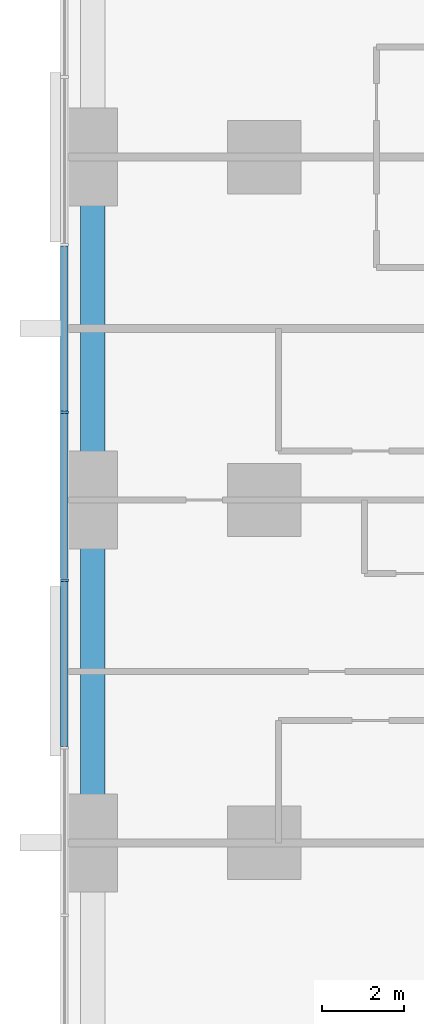
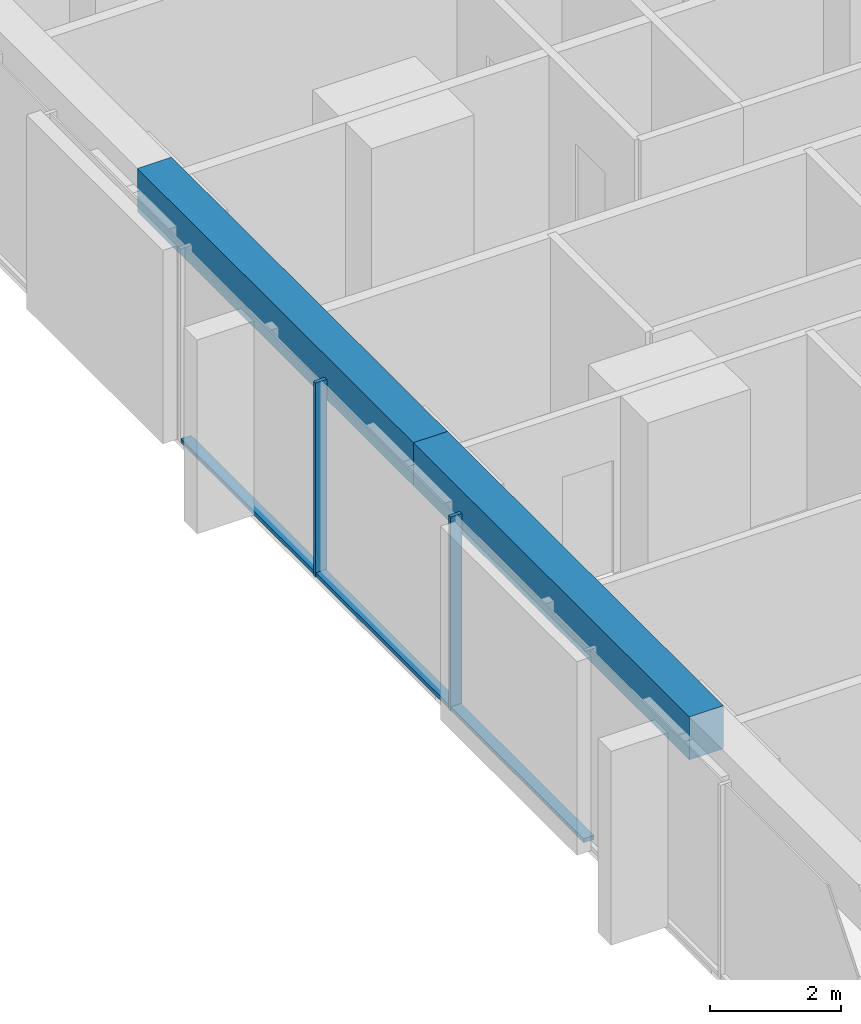
# One storey, part 3 of 17: 5 members, 2 beams, 1 element without a shape of its own.
"""IFC4 building model written with IfcOpenShell, lengths in metres."""

from ifc_helpers import new_model, si_unit, direction, frame, origin, origin_2d, place, context, subcontext, project, spatial, rectangle, extrude, material, material_profile, profile_set, type_object, element, aggregate, save


model = new_model("IFC4")

# Units and contexts
model_context = context("Model", 3, precision=1e-05, world=origin(), true_north=direction((0.0, 1.0)))
body_context = subcontext(model_context, "Body", "Model", "MODEL_VIEW")
ifc_project = project(units=[si_unit("LENGTHUNIT", "METRE"), si_unit("AREAUNIT", "SQUARE_METRE"), si_unit("VOLUMEUNIT", "CUBIC_METRE"), si_unit("PLANEANGLEUNIT", "RADIAN"), si_unit("MASSUNIT", "GRAM", prefix="KILO")], contexts=[model_context])

# Site, building, storey
site_placement = place(None, origin())
site = spatial("IfcSite", under=ifc_project, at=site_placement, CompositionType="ELEMENT")
building_placement = place(site_placement, origin())
building = spatial("IfcBuilding", under=site, at=building_placement, Name="Dunama Terrace Hotel", CompositionType="ELEMENT")
storey_placement = place(building_placement, frame((0.0, 0.0, 52.199951171875)))
storey = spatial("IfcBuildingStorey", under=building, at=storey_placement, Name="L12", CompositionType="ELEMENT", Elevation=52.199951171875)

# Curtain wall, members
ifc_material_1 = material(Name="Aluminium curtain wall system", Category="aluminium")
curtain_wall_type = type_object("IfcCurtainWallType", Name="Unitised fritted glass wall CW-A", PredefinedType="NOTDEFINED", material=ifc_material_1)
curtain_wall_placement = place(storey_placement, origin())
curtain_wall = element("IfcCurtainWall", 1, at=curtain_wall_placement, inside=storey, type_object=curtain_wall_type, Name="Unitised fritted glass wall CW-A L12", PredefinedType="NOTDEFINED")
ifc_material_2 = material(Name="Aluminium mullion", Category="aluminium")
ifc_material_profile_1 = material_profile(ifc_material_2, rectangle(XDim=0.06494140625, YDim=0.199951171875, at=origin_2d()), Name="CWA MULLION 65X200")
ifc_profile_set_1 = profile_set([ifc_material_profile_1], Name="Aluminium mullion")
member_type_1 = type_object("IfcMemberType", Name="CWA mullion 65x200", PredefinedType="MULLION", material=ifc_profile_set_1)
member_1_placement = place(storey_placement, frame((-0.10009765625, 27.345947265625, 0.0), z_axis=(0.0, 0.0, 1.0), x_axis=(0.0, -1.0, 0.0)))
member_1 = element("IfcMember", 2, at=member_1_placement, type_object=member_type_1, Name="CWA mullion", PredefinedType="MULLION", context=body_context, shape_type="SweptSolid", body=[
    extrude(rectangle(XDim=0.06494140625, YDim=0.199951171875, at=origin_2d()), origin(), (0.0, 0.0, 1.0), 3.60009765625),
])
member_2_placement = place(storey_placement, frame((-0.10009765625, 23.238037109375, 0.0), z_axis=(0.0, 0.0, 1.0), x_axis=(0.0, -1.0, 0.0)))
member_2 = element("IfcMember", 3, at=member_2_placement, type_object=member_type_1, Name="CWA mullion", PredefinedType="MULLION", context=body_context, shape_type="SweptSolid", body=[
    extrude(rectangle(XDim=0.06494140625, YDim=0.199951171875, at=origin_2d()), origin(), (0.0, 0.0, 1.0), 3.60009765625),
])
ifc_material_3 = material(Name="Aluminium transom", Category="aluminium")
ifc_material_profile_2 = material_profile(ifc_material_3, rectangle(XDim=0.179931640625, YDim=0.074951171875, at=origin_2d()), Name="CWA TRANSOM 180X75")
ifc_profile_set_2 = profile_set([ifc_material_profile_2], Name="Aluminium transom")
member_type_2 = type_object("IfcMemberType", Name="CWA transom 180x75", PredefinedType="USERDEFINED", material=ifc_profile_set_2)
member_3_placement = place(storey_placement, frame((-0.10009765625, 31.4208984375, 0.03759765625), z_axis=(0.0, -1.0, 0.0), x_axis=(1.0, 0.0, 0.0)))
member_3 = element("IfcMember", 4, at=member_3_placement, type_object=member_type_2, Name="CWA transom", ObjectType="TRANSOM", PredefinedType="USERDEFINED", context=body_context, shape_type="SweptSolid", body=[
    extrude(rectangle(XDim=0.179931640625, YDim=0.074951171875, at=origin_2d()), origin(), (0.0, 0.0, 1.0), 4.0419921875),
])
member_4_placement = place(storey_placement, frame((-0.10009765625, 27.31396484375, 0.03759765625), z_axis=(0.0, -1.0, 0.0), x_axis=(1.0, 0.0, 0.0)))
member_4 = element("IfcMember", 5, at=member_4_placement, type_object=member_type_2, Name="CWA transom", ObjectType="TRANSOM", PredefinedType="USERDEFINED", context=body_context, shape_type="SweptSolid", body=[
    extrude(rectangle(XDim=0.179931640625, YDim=0.074951171875, at=origin_2d()), origin(), (0.0, 0.0, 1.0), 4.04296875),
])
member_5_placement = place(storey_placement, frame((-0.10009765625, 23.2060546875, 0.03759765625), z_axis=(0.0, -1.0, 0.0), x_axis=(1.0, 0.0, 0.0)))
member_5 = element("IfcMember", 6, at=member_5_placement, type_object=member_type_2, Name="CWA transom", ObjectType="TRANSOM", PredefinedType="USERDEFINED", context=body_context, shape_type="SweptSolid", body=[
    extrude(rectangle(XDim=0.179931640625, YDim=0.074951171875, at=origin_2d()), origin(), (0.0, 0.0, 1.0), 4.04296875),
])
aggregate(curtain_wall, [member_1, member_2, member_3, member_4, member_5])

# Beams
ifc_material_4 = material(Name="Concrete C40/50", Category="concrete")
ifc_material_profile_3 = material_profile(ifc_material_4, rectangle(XDim=0.60009765625, YDim=0.800048828125, at=origin_2d()), Name="RC 600x800")
ifc_profile_set_3 = profile_set([ifc_material_profile_3], Name="Concrete C40/50")
beam_type = type_object("IfcBeamType", Name="Edge beam RC 600x800", PredefinedType="SPANDREL", material=ifc_profile_set_3)
beam_1_placement = place(storey_placement, frame((0.60009765625, 16.800048828125, 3.199951171875), z_axis=(0.0, 1.0, 0.0), x_axis=(-1.0, 0.0, 0.0)))
element("IfcBeam", 7, at=beam_1_placement, inside=storey, type_object=beam_type, Name="Edge beam under L13", PredefinedType="SPANDREL", context=body_context, shape_type="SweptSolid", body=[
    extrude(rectangle(XDim=0.60009765625, YDim=0.800048828125, at=origin_2d()), origin(), (0.0, 0.0, 1.0), 8.39990234375),
])
beam_2_placement = place(storey_placement, frame((0.60009765625, 25.199951171875, 3.199951171875), z_axis=(0.0, 1.0, 0.0), x_axis=(-1.0, 0.0, 0.0)))
element("IfcBeam", 8, at=beam_2_placement, inside=storey, type_object=beam_type, Name="Edge beam under L13", PredefinedType="SPANDREL", context=body_context, shape_type="SweptSolid", body=[
    extrude(rectangle(XDim=0.60009765625, YDim=0.800048828125, at=origin_2d()), origin(), (0.0, 0.0, 1.0), 8.400146484375),
])

save(model, "model.ifc")
